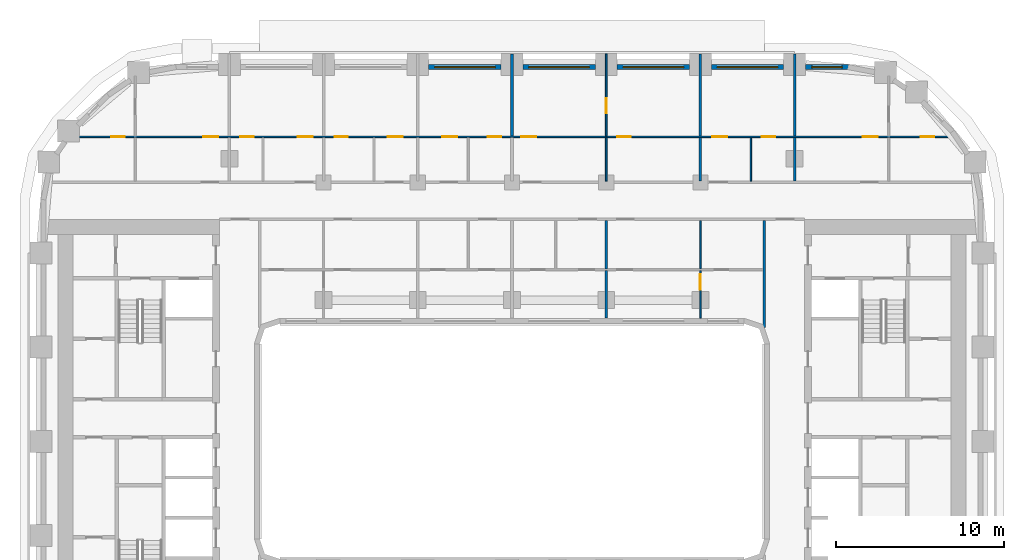
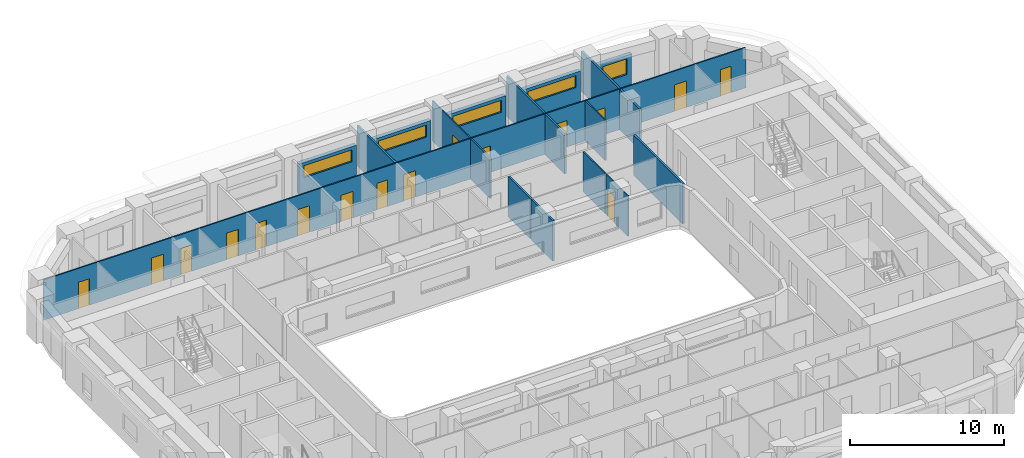
# One storey, part 9 of 22: 19 walls, 16 doors, 5 windows, 21 openings.
"""IFC4 building model written with IfcOpenShell, lengths in metres."""

from ifc_helpers import new_model, si_unit, direction, frame, frame_2d, origin, place, context, subcontext, project, spatial, rectangle, extrude, material, layer, layer_set, type_object, element, fill, save


model = new_model("IFC4")

# Units and contexts
model_context = context("Model", 3, precision=1e-05, world=origin(), true_north=direction((0.0, 1.0)))
body_context = subcontext(model_context, "Body", "Model", "MODEL_VIEW")
ifc_project = project(units=[si_unit("LENGTHUNIT", "METRE"), si_unit("AREAUNIT", "SQUARE_METRE"), si_unit("VOLUMEUNIT", "CUBIC_METRE"), si_unit("PLANEANGLEUNIT", "RADIAN"), si_unit("MASSUNIT", "GRAM", prefix="KILO")], contexts=[model_context])

# Site, building, storey
site_placement = place(None, origin())
site = spatial("IfcSite", under=ifc_project, at=site_placement, CompositionType="ELEMENT")
building_placement = place(site_placement, origin())
building = spatial("IfcBuilding", under=site, at=building_placement, Name="Kiln Ring Residences", CompositionType="ELEMENT")
storey_placement = place(building_placement, frame((0.0, 0.0, 97.300048828125)))
storey = spatial("IfcBuildingStorey", under=building, at=storey_placement, Name="L24", CompositionType="ELEMENT", Elevation=97.300048828125)

# Wall, opening, window
ifc_material_1 = material(Name="Brick masonry, dark clay brick", Category="masonry")
ifc_layer_1 = layer(ifc_material_1, 0.300048828125)
ifc_layer_set_1 = layer_set([ifc_layer_1], Name="EW-300 BRICK WALL")
wall_type_1 = type_object("IfcWallType", Name="EW-300 BRICK WALL", PredefinedType="SOLIDWALL", material=ifc_layer_set_1)
wall_1_placement = place(storey_placement, frame((20.0, 22.25, 0.0), z_axis=(0.0, 0.0, 1.0), x_axis=(-1.0, 0.0, 0.0)))
wall_1 = element("IfcWall", 1, at=wall_1_placement, inside=storey, type_object=wall_type_1, Name="Facade wall L24 28", PredefinedType="SOLIDWALL", context=body_context, shape_type="SweptSolid", body=[
    extrude(rectangle(XDim=2.550048828125, YDim=0.300048828125, at=frame_2d((1.27490234375, 0.0))), origin(), (0.0, 0.0, 1.0), 2.39990234375),
])
opening_1_placement = place(wall_1_placement, frame((0.375, 0.0, 0.89990234375)))
opening_1 = element("IfcOpeningElement", 2, at=opening_1_placement, cuts=wall_1, Name="Opening W2", PredefinedType="OPENING", context=body_context, shape_type="SweptSolid", body=[
    extrude(rectangle(XDim=1.800048828125, YDim=1.25, at=frame_2d((0.89990234375, 0.625))), frame((0.0, 0.159912109375, 0.0), z_axis=(0.0, -1.0, 0.0), x_axis=(1.0, 0.0, 0.0)), (0.0, 0.0, 1.0), 0.320068359375),
])
ifc_material_2 = material(Name="Aluminium frame with double glazing", Category="aluminium")
window_type_1 = type_object("IfcWindowType", Name="WINDOW 1800 x 1250", PartitioningType="SINGLE_PANEL", PredefinedType="WINDOW", material=ifc_material_2)
window_1_placement = place(opening_1_placement, origin())
window_1 = element("IfcWindow", 3, at=window_1_placement, inside=storey, type_object=window_type_1, Name="Window L24 13", OverallHeight=1.25, OverallWidth=1.800048828125, PartitioningType="SINGLE_PANEL", PredefinedType="WINDOW", context=body_context, shape_type="SweptSolid", body=[
    extrude(rectangle(XDim=1.800048828125, YDim=1.25, at=frame_2d((0.89990234375, 0.625))), frame((0.0, 0.030029296875, 0.0), z_axis=(0.0, -1.0, 0.0), x_axis=(1.0, 0.0, 0.0)), (0.0, 0.0, 1.0), 0.06005859375),
])
fill(opening_1, window_1)

wall_2_placement = place(storey_placement, frame((16.14990234375, 22.25, 0.0), z_axis=(0.0, 0.0, 1.0), x_axis=(-1.0, 0.0, 0.0)))
wall_2 = element("IfcWall", 4, at=wall_2_placement, inside=storey, type_object=wall_type_1, Name="Facade wall L24 29", PredefinedType="SOLIDWALL", context=body_context, shape_type="SweptSolid", body=[
    extrude(rectangle(XDim=4.2998046875, YDim=0.300048828125, at=frame_2d((2.14990234375, 0.0))), origin(), (0.0, 0.0, 1.0), 2.39990234375),
])
opening_2_placement = place(wall_2_placement, frame((0.35009765625, 0.0, 1.199951171875)))
opening_2 = element("IfcOpeningElement", 5, at=opening_2_placement, cuts=wall_2, Name="Opening W4", PredefinedType="OPENING", context=body_context, shape_type="SweptSolid", body=[
    extrude(rectangle(XDim=3.60009765625, YDim=0.949951171875, at=frame_2d((1.800048828125, 0.47509765625))), frame((0.0, 0.159912109375, 0.0), z_axis=(0.0, -1.0, 0.0), x_axis=(1.0, 0.0, 0.0)), (0.0, 0.0, 1.0), 0.320068359375),
])
ifc_material_3 = material(Name="Aluminium frame with double glazing", Category="aluminium")
window_type_2 = type_object("IfcWindowType", Name="WINDOW 3600 x 950", PartitioningType="SINGLE_PANEL", PredefinedType="WINDOW", material=ifc_material_3)
window_2_placement = place(opening_2_placement, origin())
window_2 = element("IfcWindow", 6, at=window_2_placement, inside=storey, type_object=window_type_2, Name="Window L24 14", OverallHeight=0.949951171875, OverallWidth=3.60009765625, PartitioningType="SINGLE_PANEL", PredefinedType="WINDOW", context=body_context, shape_type="SweptSolid", body=[
    extrude(rectangle(XDim=3.60009765625, YDim=0.949951171875, at=frame_2d((1.800048828125, 0.47509765625))), frame((0.0, 0.030029296875, 0.0), z_axis=(0.0, -1.0, 0.0), x_axis=(1.0, 0.0, 0.0)), (0.0, 0.0, 1.0), 0.06005859375),
])
fill(opening_2, window_2)

wall_3_placement = place(storey_placement, frame((10.550048828125, 22.25, 0.0), z_axis=(0.0, 0.0, 1.0), x_axis=(-1.0, 0.0, 0.0)))
wall_3 = element("IfcWall", 7, at=wall_3_placement, inside=storey, type_object=wall_type_1, Name="Facade wall L24 30", PredefinedType="SOLIDWALL", context=body_context, shape_type="SweptSolid", body=[
    extrude(rectangle(XDim=4.300048828125, YDim=0.300048828125, at=frame_2d((2.14990234375, 0.0))), origin(), (0.0, 0.0, 1.0), 2.39990234375),
])
opening_3_placement = place(wall_3_placement, frame((0.35009765625, 0.0, 1.199951171875)))
opening_3 = element("IfcOpeningElement", 8, at=opening_3_placement, cuts=wall_3, Name="Opening W4", PredefinedType="OPENING", context=body_context, shape_type="SweptSolid", body=[
    extrude(rectangle(XDim=3.60009765625, YDim=0.949951171875, at=frame_2d((1.800048828125, 0.47509765625))), frame((0.0, 0.159912109375, 0.0), z_axis=(0.0, -1.0, 0.0), x_axis=(1.0, 0.0, 0.0)), (0.0, 0.0, 1.0), 0.320068359375),
])
window_3_placement = place(opening_3_placement, origin())
window_3 = element("IfcWindow", 9, at=window_3_placement, inside=storey, type_object=window_type_2, Name="Window L24 15", OverallHeight=0.949951171875, OverallWidth=3.60009765625, PartitioningType="SINGLE_PANEL", PredefinedType="WINDOW", context=body_context, shape_type="SweptSolid", body=[
    extrude(rectangle(XDim=3.60009765625, YDim=0.949951171875, at=frame_2d((1.800048828125, 0.47509765625))), frame((0.0, 0.030029296875, 0.0), z_axis=(0.0, -1.0, 0.0), x_axis=(1.0, 0.0, 0.0)), (0.0, 0.0, 1.0), 0.06005859375),
])
fill(opening_3, window_3)

wall_4_placement = place(storey_placement, frame((4.949951171875, 22.25, 0.0), z_axis=(0.0, 0.0, 1.0), x_axis=(-1.0, 0.0, 0.0)))
wall_4 = element("IfcWall", 10, at=wall_4_placement, inside=storey, type_object=wall_type_1, Name="Facade wall L24 31", PredefinedType="SOLIDWALL", context=body_context, shape_type="SweptSolid", body=[
    extrude(rectangle(XDim=4.300048828125, YDim=0.300048828125, at=frame_2d((2.14990234375, 0.0))), origin(), (0.0, 0.0, 1.0), 2.39990234375),
])
opening_4_placement = place(wall_4_placement, frame((0.35009765625, 0.0, 1.199951171875)))
opening_4 = element("IfcOpeningElement", 11, at=opening_4_placement, cuts=wall_4, Name="Opening W4", PredefinedType="OPENING", context=body_context, shape_type="SweptSolid", body=[
    extrude(rectangle(XDim=3.60009765625, YDim=0.949951171875, at=frame_2d((1.800048828125, 0.47509765625))), frame((0.0, 0.159912109375, 0.0), z_axis=(0.0, -1.0, 0.0), x_axis=(1.0, 0.0, 0.0)), (0.0, 0.0, 1.0), 0.320068359375),
])
window_4_placement = place(opening_4_placement, origin())
window_4 = element("IfcWindow", 12, at=window_4_placement, inside=storey, type_object=window_type_2, Name="Window L24 16", OverallHeight=0.949951171875, OverallWidth=3.60009765625, PartitioningType="SINGLE_PANEL", PredefinedType="WINDOW", context=body_context, shape_type="SweptSolid", body=[
    extrude(rectangle(XDim=3.60009765625, YDim=0.949951171875, at=frame_2d((1.800048828125, 0.47509765625))), frame((0.0, 0.030029296875, 0.0), z_axis=(0.0, -1.0, 0.0), x_axis=(1.0, 0.0, 0.0)), (0.0, 0.0, 1.0), 0.06005859375),
])
fill(opening_4, window_4)

wall_5_placement = place(storey_placement, frame((-0.64990234375, 22.25, 0.0), z_axis=(0.0, 0.0, 1.0), x_axis=(-1.0, 0.0, 0.0)))
wall_5 = element("IfcWall", 13, at=wall_5_placement, inside=storey, type_object=wall_type_1, Name="Facade wall L24 32", PredefinedType="SOLIDWALL", context=body_context, shape_type="SweptSolid", body=[
    extrude(rectangle(XDim=4.300048828125, YDim=0.300048828125, at=frame_2d((2.14990234375, 0.0))), origin(), (0.0, 0.0, 1.0), 2.39990234375),
])
opening_5_placement = place(wall_5_placement, frame((0.35009765625, 0.0, 1.199951171875)))
opening_5 = element("IfcOpeningElement", 14, at=opening_5_placement, cuts=wall_5, Name="Opening W4", PredefinedType="OPENING", context=body_context, shape_type="SweptSolid", body=[
    extrude(rectangle(XDim=3.60009765625, YDim=0.949951171875, at=frame_2d((1.800048828125, 0.47509765625))), frame((0.0, 0.159912109375, 0.0), z_axis=(0.0, -1.0, 0.0), x_axis=(1.0, 0.0, 0.0)), (0.0, 0.0, 1.0), 0.320068359375),
])
window_5_placement = place(opening_5_placement, origin())
window_5 = element("IfcWindow", 15, at=window_5_placement, inside=storey, type_object=window_type_2, Name="Window L24 17", OverallHeight=0.949951171875, OverallWidth=3.60009765625, PartitioningType="SINGLE_PANEL", PredefinedType="WINDOW", context=body_context, shape_type="SweptSolid", body=[
    extrude(rectangle(XDim=3.60009765625, YDim=0.949951171875, at=frame_2d((1.800048828125, 0.47509765625))), frame((0.0, 0.030029296875, 0.0), z_axis=(0.0, -1.0, 0.0), x_axis=(1.0, 0.0, 0.0)), (0.0, 0.0, 1.0), 0.06005859375),
])
fill(opening_5, window_5)

# Wall, openings, doors
ifc_material_4 = material(Name="Gypsum board on steel studs", Category="steel")
ifc_layer_2 = layer(ifc_material_4, 0.10009765625)
ifc_layer_set_2 = layer_set([ifc_layer_2], Name="PARTITION-100")
wall_type_2 = type_object("IfcWallType", Name="PARTITION-100", PredefinedType="PARTITIONING", material=ifc_layer_set_2)
wall_6_placement = place(storey_placement, frame((-26.43994140625, 18.10009765625, 0.0), z_axis=(0.0, 0.0, 1.0), x_axis=(1.0, 0.0, 0.0)))
wall_6 = element("IfcWall", 16, at=wall_6_placement, inside=storey, type_object=wall_type_2, Name="Partition 007", PredefinedType="PARTITIONING", context=body_context, shape_type="SweptSolid", body=[
    extrude(rectangle(XDim=52.630126953125, YDim=0.10009765625, at=frame_2d((26.31494140625, 0.0))), origin(), (0.0, 0.0, 1.0), 3.199951171875),
])
opening_6_placement = place(wall_6_placement, frame((2.6259765625, 0.0, 0.0)))
opening_6 = element("IfcOpeningElement", 17, at=opening_6_placement, cuts=wall_6, Name="Opening L24-D020", PredefinedType="OPENING", context=body_context, shape_type="SweptSolid", body=[
    extrude(rectangle(XDim=0.800048828125, YDim=2.10009765625, at=frame_2d((0.39990234375, 1.050048828125))), frame((0.0, 0.06005859375, 0.0), z_axis=(0.0, -1.0, 0.0), x_axis=(1.0, 0.0, 0.0)), (0.0, 0.0, 1.0), 0.1201171875),
])
opening_7_placement = place(wall_6_placement, frame((8.090087890625, 0.0, 0.0)))
opening_7 = element("IfcOpeningElement", 18, at=opening_7_placement, cuts=wall_6, Name="Opening L24-D021", PredefinedType="OPENING", context=body_context, shape_type="SweptSolid", body=[
    extrude(rectangle(XDim=0.89990234375, YDim=2.10009765625, at=frame_2d((0.449951171875, 1.050048828125))), frame((0.0, 0.06005859375, 0.0), z_axis=(0.0, -1.0, 0.0), x_axis=(1.0, 0.0, 0.0)), (0.0, 0.0, 1.0), 0.1201171875),
])
opening_8_placement = place(wall_6_placement, frame((10.2900390625, 0.0, 0.0)))
opening_8 = element("IfcOpeningElement", 19, at=opening_8_placement, cuts=wall_6, Name="Opening L24-D024", PredefinedType="OPENING", context=body_context, shape_type="SweptSolid", body=[
    extrude(rectangle(XDim=0.800048828125, YDim=2.10009765625, at=frame_2d((0.39990234375, 1.050048828125))), frame((0.0, 0.06005859375, 0.0), z_axis=(0.0, -1.0, 0.0), x_axis=(1.0, 0.0, 0.0)), (0.0, 0.0, 1.0), 0.1201171875),
])
opening_9_placement = place(wall_6_placement, frame((13.68994140625, 0.0, 0.0)))
opening_9 = element("IfcOpeningElement", 20, at=opening_9_placement, cuts=wall_6, Name="Opening L24-D025", PredefinedType="OPENING", context=body_context, shape_type="SweptSolid", body=[
    extrude(rectangle(XDim=0.89990234375, YDim=2.10009765625, at=frame_2d((0.449951171875, 1.050048828125))), frame((0.0, 0.06005859375, 0.0), z_axis=(0.0, -1.0, 0.0), x_axis=(1.0, 0.0, 0.0)), (0.0, 0.0, 1.0), 0.1201171875),
])
opening_10_placement = place(wall_6_placement, frame((15.889892578125, 0.0, 0.0)))
opening_10 = element("IfcOpeningElement", 21, at=opening_10_placement, cuts=wall_6, Name="Opening L24-D027", PredefinedType="OPENING", context=body_context, shape_type="SweptSolid", body=[
    extrude(rectangle(XDim=0.800048828125, YDim=2.10009765625, at=frame_2d((0.39990234375, 1.050048828125))), frame((0.0, 0.06005859375, 0.0), z_axis=(0.0, -1.0, 0.0), x_axis=(1.0, 0.0, 0.0)), (0.0, 0.0, 1.0), 0.1201171875),
])
opening_11_placement = place(wall_6_placement, frame((19.0400390625, 0.0, 0.0)))
opening_11 = element("IfcOpeningElement", 22, at=opening_11_placement, cuts=wall_6, Name="Opening L24-D028", PredefinedType="OPENING", context=body_context, shape_type="SweptSolid", body=[
    extrude(rectangle(XDim=0.89990234375, YDim=2.10009765625, at=frame_2d((0.449951171875, 1.050048828125))), frame((0.0, 0.06005859375, 0.0), z_axis=(0.0, -1.0, 0.0), x_axis=(1.0, 0.0, 0.0)), (0.0, 0.0, 1.0), 0.1201171875),
])
opening_12_placement = place(wall_6_placement, frame((24.989990234375, 0.0, 0.0)))
opening_12 = element("IfcOpeningElement", 23, at=opening_12_placement, cuts=wall_6, Name="Opening L24-D030", PredefinedType="OPENING", context=body_context, shape_type="SweptSolid", body=[
    extrude(rectangle(XDim=0.800048828125, YDim=2.10009765625, at=frame_2d((0.39990234375, 1.050048828125))), frame((0.0, 0.06005859375, 0.0), z_axis=(0.0, -1.0, 0.0), x_axis=(1.0, 0.0, 0.0)), (0.0, 0.0, 1.0), 0.1201171875),
])
opening_13_placement = place(wall_6_placement, frame((22.2900390625, 0.0, 0.0)))
opening_13 = element("IfcOpeningElement", 24, at=opening_13_placement, cuts=wall_6, Name="Opening L24-D031", PredefinedType="OPENING", context=body_context, shape_type="SweptSolid", body=[
    extrude(rectangle(XDim=0.89990234375, YDim=2.10009765625, at=frame_2d((0.449951171875, 1.050048828125))), frame((0.0, 0.06005859375, 0.0), z_axis=(0.0, -1.0, 0.0), x_axis=(1.0, 0.0, 0.0)), (0.0, 0.0, 1.0), 0.1201171875),
])
opening_14_placement = place(wall_6_placement, frame((32.68994140625, 0.0, 0.0)))
opening_14 = element("IfcOpeningElement", 25, at=opening_14_placement, cuts=wall_6, Name="Opening L24-D033", PredefinedType="OPENING", context=body_context, shape_type="SweptSolid", body=[
    extrude(rectangle(XDim=0.800048828125, YDim=2.10009765625, at=frame_2d((0.39990234375, 1.050048828125))), frame((0.0, 0.06005859375, 0.0), z_axis=(0.0, -1.0, 0.0), x_axis=(1.0, 0.0, 0.0)), (0.0, 0.0, 1.0), 0.1201171875),
])
opening_15_placement = place(wall_6_placement, frame((26.989990234375, 0.0, 0.0)))
opening_15 = element("IfcOpeningElement", 26, at=opening_15_placement, cuts=wall_6, Name="Opening L24-D034", PredefinedType="OPENING", context=body_context, shape_type="SweptSolid", body=[
    extrude(rectangle(XDim=0.89990234375, YDim=2.10009765625, at=frame_2d((0.449951171875, 1.050048828125))), frame((0.0, 0.06005859375, 0.0), z_axis=(0.0, -1.0, 0.0), x_axis=(1.0, 0.0, 0.0)), (0.0, 0.0, 1.0), 0.1201171875),
])
opening_16_placement = place(wall_6_placement, frame((41.2900390625, 0.0, 0.0)))
opening_16 = element("IfcOpeningElement", 27, at=opening_16_placement, cuts=wall_6, Name="Opening L24-D037", PredefinedType="OPENING", context=body_context, shape_type="SweptSolid", body=[
    extrude(rectangle(XDim=0.800048828125, YDim=2.10009765625, at=frame_2d((0.39990234375, 1.050048828125))), frame((0.0, 0.06005859375, 0.0), z_axis=(0.0, -1.0, 0.0), x_axis=(1.0, 0.0, 0.0)), (0.0, 0.0, 1.0), 0.1201171875),
])
opening_17_placement = place(wall_6_placement, frame((38.340087890625, 0.0, 0.0)))
opening_17 = element("IfcOpeningElement", 28, at=opening_17_placement, cuts=wall_6, Name="Opening L24-D038", PredefinedType="OPENING", context=body_context, shape_type="SweptSolid", body=[
    extrude(rectangle(XDim=0.89990234375, YDim=2.10009765625, at=frame_2d((0.449951171875, 1.050048828125))), frame((0.0, 0.06005859375, 0.0), z_axis=(0.0, -1.0, 0.0), x_axis=(1.0, 0.0, 0.0)), (0.0, 0.0, 1.0), 0.1201171875),
])
opening_18_placement = place(wall_6_placement, frame((50.739990234375, 0.0, 0.0)))
opening_18 = element("IfcOpeningElement", 29, at=opening_18_placement, cuts=wall_6, Name="Opening L24-D040", PredefinedType="OPENING", context=body_context, shape_type="SweptSolid", body=[
    extrude(rectangle(XDim=0.800048828125, YDim=2.10009765625, at=frame_2d((0.39990234375, 1.050048828125))), frame((0.0, 0.06005859375, 0.0), z_axis=(0.0, -1.0, 0.0), x_axis=(1.0, 0.0, 0.0)), (0.0, 0.0, 1.0), 0.1201171875),
])
opening_19_placement = place(wall_6_placement, frame((47.2900390625, 0.0, 0.0)))
opening_19 = element("IfcOpeningElement", 30, at=opening_19_placement, cuts=wall_6, Name="Opening L24-D041", PredefinedType="OPENING", context=body_context, shape_type="SweptSolid", body=[
    extrude(rectangle(XDim=0.89990234375, YDim=2.10009765625, at=frame_2d((0.449951171875, 1.050048828125))), frame((0.0, 0.06005859375, 0.0), z_axis=(0.0, -1.0, 0.0), x_axis=(1.0, 0.0, 0.0)), (0.0, 0.0, 1.0), 0.1201171875),
])
ifc_material_5 = material(Name="Timber door leaf", Category="wood")
door_type_1 = type_object("IfcDoorType", Name="FLAT-DOOR-800-PL", OperationType="SINGLE_SWING_LEFT", PredefinedType="DOOR", material=ifc_material_5)
door_1_placement = place(opening_6_placement, origin())
door_1 = element("IfcDoor", 31, at=door_1_placement, inside=storey, type_object=door_type_1, Name="Door L24-D020", OperationType="SINGLE_SWING_RIGHT", OverallHeight=2.10009765625, OverallWidth=0.800048828125, PredefinedType="DOOR", context=body_context, shape_type="SweptSolid", body=[
    extrude(rectangle(XDim=0.800048828125, YDim=2.10009765625, at=frame_2d((0.39990234375, 1.050048828125))), frame((0.0, 0.02490234375, 0.0), z_axis=(0.0, -1.0, 0.0), x_axis=(1.0, 0.0, 0.0)), (0.0, 0.0, 1.0), 0.050048828125),
])
fill(opening_6, door_1)
door_2_placement = place(opening_8_placement, origin())
door_2 = element("IfcDoor", 32, at=door_2_placement, inside=storey, type_object=door_type_1, Name="Door L24-D024", OperationType="SINGLE_SWING_RIGHT", OverallHeight=2.10009765625, OverallWidth=0.800048828125, PredefinedType="DOOR", context=body_context, shape_type="SweptSolid", body=[
    extrude(rectangle(XDim=0.800048828125, YDim=2.10009765625, at=frame_2d((0.39990234375, 1.050048828125))), frame((0.0, 0.02490234375, 0.0), z_axis=(0.0, -1.0, 0.0), x_axis=(1.0, 0.0, 0.0)), (0.0, 0.0, 1.0), 0.050048828125),
])
fill(opening_8, door_2)
door_3_placement = place(opening_10_placement, origin())
door_3 = element("IfcDoor", 33, at=door_3_placement, inside=storey, type_object=door_type_1, Name="Door L24-D027", OperationType="SINGLE_SWING_LEFT", OverallHeight=2.10009765625, OverallWidth=0.800048828125, PredefinedType="DOOR", context=body_context, shape_type="SweptSolid", body=[
    extrude(rectangle(XDim=0.800048828125, YDim=2.10009765625, at=frame_2d((0.39990234375, 1.050048828125))), frame((0.0, 0.02490234375, 0.0), z_axis=(0.0, -1.0, 0.0), x_axis=(1.0, 0.0, 0.0)), (0.0, 0.0, 1.0), 0.050048828125),
])
fill(opening_10, door_3)
door_4_placement = place(opening_12_placement, origin())
door_4 = element("IfcDoor", 34, at=door_4_placement, inside=storey, type_object=door_type_1, Name="Door L24-D030", OperationType="SINGLE_SWING_RIGHT", OverallHeight=2.10009765625, OverallWidth=0.800048828125, PredefinedType="DOOR", context=body_context, shape_type="SweptSolid", body=[
    extrude(rectangle(XDim=0.800048828125, YDim=2.10009765625, at=frame_2d((0.39990234375, 1.050048828125))), frame((0.0, 0.02490234375, 0.0), z_axis=(0.0, -1.0, 0.0), x_axis=(1.0, 0.0, 0.0)), (0.0, 0.0, 1.0), 0.050048828125),
])
fill(opening_12, door_4)
door_5_placement = place(opening_14_placement, origin())
door_5 = element("IfcDoor", 35, at=door_5_placement, inside=storey, type_object=door_type_1, Name="Door L24-D033", OperationType="SINGLE_SWING_LEFT", OverallHeight=2.10009765625, OverallWidth=0.800048828125, PredefinedType="DOOR", context=body_context, shape_type="SweptSolid", body=[
    extrude(rectangle(XDim=0.800048828125, YDim=2.10009765625, at=frame_2d((0.39990234375, 1.050048828125))), frame((0.0, 0.02490234375, 0.0), z_axis=(0.0, -1.0, 0.0), x_axis=(1.0, 0.0, 0.0)), (0.0, 0.0, 1.0), 0.050048828125),
])
fill(opening_14, door_5)
door_6_placement = place(opening_16_placement, origin())
door_6 = element("IfcDoor", 36, at=door_6_placement, inside=storey, type_object=door_type_1, Name="Door L24-D037", OperationType="SINGLE_SWING_LEFT", OverallHeight=2.10009765625, OverallWidth=0.800048828125, PredefinedType="DOOR", context=body_context, shape_type="SweptSolid", body=[
    extrude(rectangle(XDim=0.800048828125, YDim=2.10009765625, at=frame_2d((0.39990234375, 1.050048828125))), frame((0.0, 0.02490234375, 0.0), z_axis=(0.0, -1.0, 0.0), x_axis=(1.0, 0.0, 0.0)), (0.0, 0.0, 1.0), 0.050048828125),
])
fill(opening_16, door_6)
door_7_placement = place(opening_18_placement, origin())
door_7 = element("IfcDoor", 37, at=door_7_placement, inside=storey, type_object=door_type_1, Name="Door L24-D040", OperationType="SINGLE_SWING_RIGHT", OverallHeight=2.10009765625, OverallWidth=0.800048828125, PredefinedType="DOOR", context=body_context, shape_type="SweptSolid", body=[
    extrude(rectangle(XDim=0.800048828125, YDim=2.10009765625, at=frame_2d((0.39990234375, 1.050048828125))), frame((0.0, 0.02490234375, 0.0), z_axis=(0.0, -1.0, 0.0), x_axis=(1.0, 0.0, 0.0)), (0.0, 0.0, 1.0), 0.050048828125),
])
fill(opening_18, door_7)
ifc_material_6 = material(Name="Timber door leaf", Category="wood")
door_type_2 = type_object("IfcDoorType", Name="FLAT-DOOR-900-PL", OperationType="SINGLE_SWING_LEFT", PredefinedType="DOOR", material=ifc_material_6)
door_8_placement = place(opening_7_placement, origin())
door_8 = element("IfcDoor", 38, at=door_8_placement, inside=storey, type_object=door_type_2, Name="Door L24-D021", OperationType="SINGLE_SWING_LEFT", OverallHeight=2.10009765625, OverallWidth=0.89990234375, PredefinedType="DOOR", context=body_context, shape_type="SweptSolid", body=[
    extrude(rectangle(XDim=0.89990234375, YDim=2.10009765625, at=frame_2d((0.449951171875, 1.050048828125))), frame((0.0, 0.02490234375, 0.0), z_axis=(0.0, -1.0, 0.0), x_axis=(1.0, 0.0, 0.0)), (0.0, 0.0, 1.0), 0.050048828125),
])
fill(opening_7, door_8)
door_9_placement = place(opening_9_placement, origin())
door_9 = element("IfcDoor", 39, at=door_9_placement, inside=storey, type_object=door_type_2, Name="Door L24-D025", OperationType="SINGLE_SWING_LEFT", OverallHeight=2.10009765625, OverallWidth=0.89990234375, PredefinedType="DOOR", context=body_context, shape_type="SweptSolid", body=[
    extrude(rectangle(XDim=0.89990234375, YDim=2.10009765625, at=frame_2d((0.449951171875, 1.050048828125))), frame((0.0, 0.02490234375, 0.0), z_axis=(0.0, -1.0, 0.0), x_axis=(1.0, 0.0, 0.0)), (0.0, 0.0, 1.0), 0.050048828125),
])
fill(opening_9, door_9)
door_10_placement = place(opening_11_placement, origin())
door_10 = element("IfcDoor", 40, at=door_10_placement, inside=storey, type_object=door_type_2, Name="Door L24-D028", OperationType="SINGLE_SWING_RIGHT", OverallHeight=2.10009765625, OverallWidth=0.89990234375, PredefinedType="DOOR", context=body_context, shape_type="SweptSolid", body=[
    extrude(rectangle(XDim=0.89990234375, YDim=2.10009765625, at=frame_2d((0.449951171875, 1.050048828125))), frame((0.0, 0.02490234375, 0.0), z_axis=(0.0, -1.0, 0.0), x_axis=(1.0, 0.0, 0.0)), (0.0, 0.0, 1.0), 0.050048828125),
])
fill(opening_11, door_10)
door_11_placement = place(opening_13_placement, origin())
door_11 = element("IfcDoor", 41, at=door_11_placement, inside=storey, type_object=door_type_2, Name="Door L24-D031", OperationType="SINGLE_SWING_LEFT", OverallHeight=2.10009765625, OverallWidth=0.89990234375, PredefinedType="DOOR", context=body_context, shape_type="SweptSolid", body=[
    extrude(rectangle(XDim=0.89990234375, YDim=2.10009765625, at=frame_2d((0.449951171875, 1.050048828125))), frame((0.0, 0.02490234375, 0.0), z_axis=(0.0, -1.0, 0.0), x_axis=(1.0, 0.0, 0.0)), (0.0, 0.0, 1.0), 0.050048828125),
])
fill(opening_13, door_11)
door_12_placement = place(opening_15_placement, origin())
door_12 = element("IfcDoor", 42, at=door_12_placement, inside=storey, type_object=door_type_2, Name="Door L24-D034", OperationType="SINGLE_SWING_RIGHT", OverallHeight=2.10009765625, OverallWidth=0.89990234375, PredefinedType="DOOR", context=body_context, shape_type="SweptSolid", body=[
    extrude(rectangle(XDim=0.89990234375, YDim=2.10009765625, at=frame_2d((0.449951171875, 1.050048828125))), frame((0.0, 0.02490234375, 0.0), z_axis=(0.0, -1.0, 0.0), x_axis=(1.0, 0.0, 0.0)), (0.0, 0.0, 1.0), 0.050048828125),
])
fill(opening_15, door_12)
door_13_placement = place(opening_17_placement, origin())
door_13 = element("IfcDoor", 43, at=door_13_placement, inside=storey, type_object=door_type_2, Name="Door L24-D038", OperationType="SINGLE_SWING_RIGHT", OverallHeight=2.10009765625, OverallWidth=0.89990234375, PredefinedType="DOOR", context=body_context, shape_type="SweptSolid", body=[
    extrude(rectangle(XDim=0.89990234375, YDim=2.10009765625, at=frame_2d((0.449951171875, 1.050048828125))), frame((0.0, 0.02490234375, 0.0), z_axis=(0.0, -1.0, 0.0), x_axis=(1.0, 0.0, 0.0)), (0.0, 0.0, 1.0), 0.050048828125),
])
fill(opening_17, door_13)
door_14_placement = place(opening_19_placement, origin())
door_14 = element("IfcDoor", 44, at=door_14_placement, inside=storey, type_object=door_type_2, Name="Door L24-D041", OperationType="SINGLE_SWING_LEFT", OverallHeight=2.10009765625, OverallWidth=0.89990234375, PredefinedType="DOOR", context=body_context, shape_type="SweptSolid", body=[
    extrude(rectangle(XDim=0.89990234375, YDim=2.10009765625, at=frame_2d((0.449951171875, 1.050048828125))), frame((0.0, 0.02490234375, 0.0), z_axis=(0.0, -1.0, 0.0), x_axis=(1.0, 0.0, 0.0)), (0.0, 0.0, 1.0), 0.050048828125),
])
fill(opening_19, door_14)

# Wall
wall_7_placement = place(storey_placement, frame((5.60009765625, 15.47509765625, 0.0), z_axis=(0.0, 0.0, 1.0), x_axis=(0.0, 1.0, 0.0)))
element("IfcWall", 45, at=wall_7_placement, inside=storey, type_object=wall_type_2, Name="Partition 053", PredefinedType="PARTITIONING", context=body_context, shape_type="SweptSolid", body=[
    extrude(rectangle(XDim=2.574951171875, YDim=0.10009765625, at=frame_2d((1.28759765625, 0.0))), origin(), (0.0, 0.0, 1.0), 3.199951171875),
])

# Wall, opening, door
wall_8_placement = place(storey_placement, frame((5.60009765625, 18.14990234375, 0.0), z_axis=(0.0, 0.0, 1.0), x_axis=(0.0, 1.0, 0.0)))
wall_8 = element("IfcWall", 46, at=wall_8_placement, inside=storey, type_object=wall_type_2, Name="Partition 054", PredefinedType="PARTITIONING", context=body_context, shape_type="SweptSolid", body=[
    extrude(rectangle(XDim=4.880126953125, YDim=0.10009765625, at=frame_2d((2.43994140625, 0.0))), origin(), (0.0, 0.0, 1.0), 3.199951171875),
])
opening_20_placement = place(wall_8_placement, frame((1.35009765625, 0.0, 0.0)))
opening_20 = element("IfcOpeningElement", 47, at=opening_20_placement, cuts=wall_8, Name="Opening L24-D035", PredefinedType="OPENING", context=body_context, shape_type="SweptSolid", body=[
    extrude(rectangle(XDim=0.89990234375, YDim=2.10009765625, at=frame_2d((0.449951171875, 1.050048828125))), frame((0.0, 0.06005859375, 0.0), z_axis=(0.0, -1.0, 0.0), x_axis=(1.0, 0.0, 0.0)), (0.0, 0.0, 1.0), 0.1201171875),
])
door_15_placement = place(opening_20_placement, origin())
door_15 = element("IfcDoor", 48, at=door_15_placement, inside=storey, type_object=door_type_2, Name="Door L24-D035", OperationType="SINGLE_SWING_LEFT", OverallHeight=2.10009765625, OverallWidth=0.89990234375, PredefinedType="DOOR", context=body_context, shape_type="SweptSolid", body=[
    extrude(rectangle(XDim=0.89990234375, YDim=2.10009765625, at=frame_2d((0.449951171875, 1.050048828125))), frame((0.0, 0.02490234375, 0.0), z_axis=(0.0, -1.0, 0.0), x_axis=(1.0, 0.0, 0.0)), (0.0, 0.0, 1.0), 0.050048828125),
])
fill(opening_20, door_15)

wall_9_placement = place(storey_placement, frame((11.199951171875, 7.320068359375, 0.0), z_axis=(0.0, 0.0, 1.0), x_axis=(0.0, 1.0, 0.0)))
wall_9 = element("IfcWall", 49, at=wall_9_placement, inside=storey, type_object=wall_type_2, Name="Partition 062", PredefinedType="PARTITIONING", context=body_context, shape_type="SweptSolid", body=[
    extrude(rectangle(XDim=2.829833984375, YDim=0.10009765625, at=frame_2d((1.4150390625, 0.0))), origin(), (0.0, 0.0, 1.0), 3.199951171875),
])
opening_21_placement = place(wall_9_placement, frame((1.699951171875, 0.0, 0.0)))
opening_21 = element("IfcOpeningElement", 50, at=opening_21_placement, cuts=wall_9, Name="Opening L24-D018", PredefinedType="OPENING", context=body_context, shape_type="SweptSolid", body=[
    extrude(rectangle(XDim=0.89990234375, YDim=2.10009765625, at=frame_2d((0.449951171875, 1.050048828125))), frame((0.0, 0.06005859375, 0.0), z_axis=(0.0, -1.0, 0.0), x_axis=(1.0, 0.0, 0.0)), (0.0, 0.0, 1.0), 0.1201171875),
])
door_16_placement = place(opening_21_placement, origin())
door_16 = element("IfcDoor", 51, at=door_16_placement, inside=storey, type_object=door_type_2, Name="Door L24-D018", OperationType="SINGLE_SWING_RIGHT", OverallHeight=2.10009765625, OverallWidth=0.89990234375, PredefinedType="DOOR", context=body_context, shape_type="SweptSolid", body=[
    extrude(rectangle(XDim=0.89990234375, YDim=2.10009765625, at=frame_2d((0.449951171875, 1.050048828125))), frame((0.0, 0.02490234375, 0.0), z_axis=(0.0, -1.0, 0.0), x_axis=(1.0, 0.0, 0.0)), (0.0, 0.0, 1.0), 0.050048828125),
])
fill(opening_21, door_16)

# Walls
wall_10_placement = place(storey_placement, frame((11.199951171875, 10.25, 0.0), z_axis=(0.0, 0.0, 1.0), x_axis=(0.0, 1.0, 0.0)))
element("IfcWall", 52, at=wall_10_placement, inside=storey, type_object=wall_type_2, Name="Partition 063", PredefinedType="PARTITIONING", context=body_context, shape_type="SweptSolid", body=[
    extrude(rectangle(XDim=2.875, YDim=0.10009765625, at=frame_2d((1.4375, 0.0))), origin(), (0.0, 0.0, 1.0), 3.199951171875),
])
wall_11_placement = place(storey_placement, frame((14.199951171875, 15.47509765625, 0.0), z_axis=(0.0, 0.0, 1.0), x_axis=(0.0, 1.0, 0.0)))
element("IfcWall", 53, at=wall_11_placement, inside=storey, type_object=wall_type_2, Name="Partition 069", PredefinedType="PARTITIONING", context=body_context, shape_type="SweptSolid", body=[
    extrude(rectangle(XDim=2.574951171875, YDim=0.10009765625, at=frame_2d((1.28759765625, 0.0))), origin(), (0.0, 0.0, 1.0), 3.199951171875),
])
ifc_material_7 = material(Name="Brick masonry partition", Category="masonry")
ifc_layer_3 = layer(ifc_material_7, 0.14990234375)
ifc_layer_set_3 = layer_set([ifc_layer_3], Name="PARTITION-150-ei60")
wall_type_3 = type_object("IfcWallType", Name="PARTITION-150-ei60", PredefinedType="PARTITIONING", material=ifc_layer_set_3)
wall_12_placement = place(storey_placement, frame((0.0, 18.14990234375, 0.0), z_axis=(0.0, 0.0, 1.0), x_axis=(0.0, 1.0, 0.0)))
element("IfcWall", 54, at=wall_12_placement, inside=storey, type_object=wall_type_3, Name="Partition 047", PredefinedType="PARTITIONING", context=body_context, shape_type="SweptSolid", body=[
    extrude(rectangle(XDim=4.880126953125, YDim=0.14990234375, at=frame_2d((2.43994140625, 0.0))), origin(), (0.0, 0.0, 1.0), 3.199951171875),
])
wall_13_placement = place(storey_placement, frame((5.60009765625, 7.320068359375, 0.0), z_axis=(0.0, 0.0, 1.0), x_axis=(0.0, 1.0, 0.0)))
element("IfcWall", 55, at=wall_13_placement, inside=storey, type_object=wall_type_3, Name="Partition 057", PredefinedType="PARTITIONING", context=body_context, shape_type="SweptSolid", body=[
    extrude(rectangle(XDim=2.829833984375, YDim=0.14990234375, at=frame_2d((1.4150390625, 0.0))), origin(), (0.0, 0.0, 1.0), 3.199951171875),
])
wall_14_placement = place(storey_placement, frame((5.60009765625, 10.25, 0.0), z_axis=(0.0, 0.0, 1.0), x_axis=(0.0, 1.0, 0.0)))
element("IfcWall", 56, at=wall_14_placement, inside=storey, type_object=wall_type_3, Name="Partition 058", PredefinedType="PARTITIONING", context=body_context, shape_type="SweptSolid", body=[
    extrude(rectangle(XDim=2.875, YDim=0.14990234375, at=frame_2d((1.4375, 0.0))), origin(), (0.0, 0.0, 1.0), 3.199951171875),
])
wall_15_placement = place(storey_placement, frame((11.199951171875, 15.47509765625, 0.0), z_axis=(0.0, 0.0, 1.0), x_axis=(0.0, 1.0, 0.0)))
element("IfcWall", 57, at=wall_15_placement, inside=storey, type_object=wall_type_3, Name="Partition 066", PredefinedType="PARTITIONING", context=body_context, shape_type="SweptSolid", body=[
    extrude(rectangle(XDim=2.574951171875, YDim=0.14990234375, at=frame_2d((1.28759765625, 0.0))), origin(), (0.0, 0.0, 1.0), 3.199951171875),
])
wall_16_placement = place(storey_placement, frame((11.199951171875, 18.14990234375, 0.0), z_axis=(0.0, 0.0, 1.0), x_axis=(0.0, 1.0, 0.0)))
element("IfcWall", 58, at=wall_16_placement, inside=storey, type_object=wall_type_3, Name="Partition 067", PredefinedType="PARTITIONING", context=body_context, shape_type="SweptSolid", body=[
    extrude(rectangle(XDim=4.880126953125, YDim=0.14990234375, at=frame_2d((2.43994140625, 0.0))), origin(), (0.0, 0.0, 1.0), 3.199951171875),
])
wall_17_placement = place(storey_placement, frame((15.0, 6.768798828125, 0.0), z_axis=(0.0, 0.0, 1.0), x_axis=(0.0, 1.0, 0.0)))
element("IfcWall", 59, at=wall_17_placement, inside=storey, type_object=wall_type_3, Name="Partition 071", PredefinedType="PARTITIONING", context=body_context, shape_type="SweptSolid", body=[
    extrude(rectangle(XDim=6.356201171875, YDim=0.14990234375, at=frame_2d((3.17822265625, 0.0))), origin(), (0.0, 0.0, 1.0), 3.199951171875),
])
wall_18_placement = place(storey_placement, frame((16.800048828125, 15.47509765625, 0.0), z_axis=(0.0, 0.0, 1.0), x_axis=(0.0, 1.0, 0.0)))
element("IfcWall", 60, at=wall_18_placement, inside=storey, type_object=wall_type_3, Name="Partition 074", PredefinedType="PARTITIONING", context=body_context, shape_type="SweptSolid", body=[
    extrude(rectangle(XDim=2.574951171875, YDim=0.14990234375, at=frame_2d((1.28759765625, 0.0))), origin(), (0.0, 0.0, 1.0), 3.199951171875),
])
wall_19_placement = place(storey_placement, frame((16.800048828125, 18.14990234375, 0.0), z_axis=(0.0, 0.0, 1.0), x_axis=(0.0, 1.0, 0.0)))
element("IfcWall", 61, at=wall_19_placement, inside=storey, type_object=wall_type_3, Name="Partition 075", PredefinedType="PARTITIONING", context=body_context, shape_type="SweptSolid", body=[
    extrude(rectangle(XDim=4.880126953125, YDim=0.14990234375, at=frame_2d((2.43994140625, 0.0))), origin(), (0.0, 0.0, 1.0), 3.199951171875),
])

save(model, "model.ifc")
